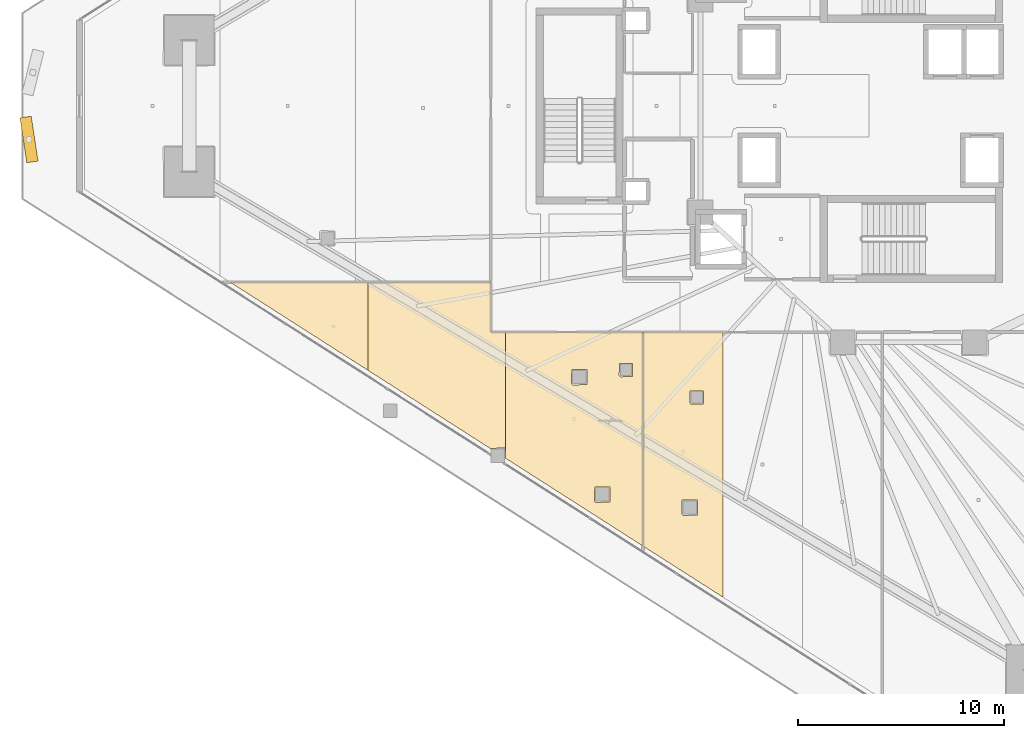
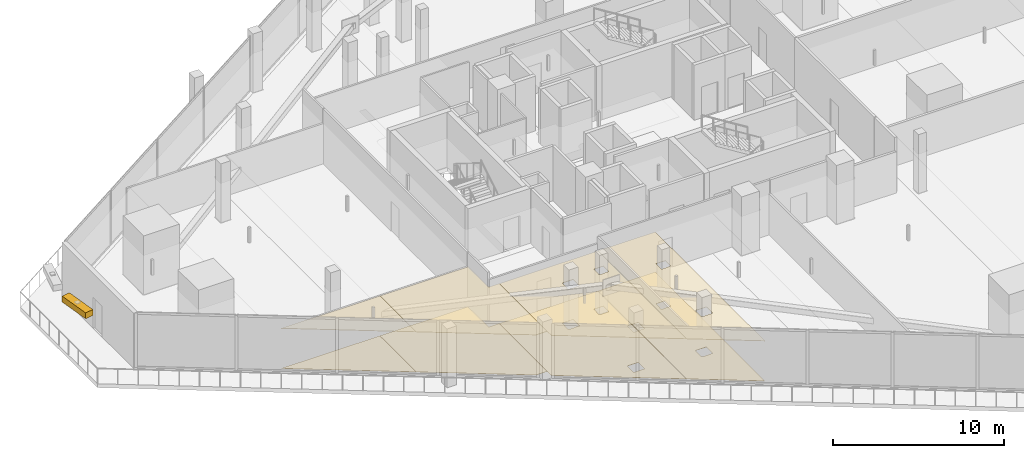
# One storey, part 37 of 45: 8 coverings, 1 shading device.
"""IFC4 building model written with IfcOpenShell, lengths in metres."""

from ifc_helpers import new_model, si_unit, direction, frame, origin, origin_2d, place, context, subcontext, project, spatial, polyline, rectangle, outline, extrude, material, layer, layer_set, type_object, element, save


model = new_model("IFC4")

# Units and contexts
model_context = context("Model", 3, precision=1e-05, world=origin(), true_north=direction((0.0, 1.0)))
body_context = subcontext(model_context, "Body", "Model", "MODEL_VIEW")
ifc_project = project(units=[si_unit("LENGTHUNIT", "METRE"), si_unit("AREAUNIT", "SQUARE_METRE"), si_unit("VOLUMEUNIT", "CUBIC_METRE"), si_unit("PLANEANGLEUNIT", "RADIAN"), si_unit("MASSUNIT", "GRAM", prefix="KILO")], contexts=[model_context])

# Site, building, storey
site_placement = place(None, origin())
site = spatial("IfcSite", under=ifc_project, at=site_placement, CompositionType="ELEMENT")
building_placement = place(site_placement, origin())
building = spatial("IfcBuilding", under=site, at=building_placement, Name="Qorvath Tower", CompositionType="ELEMENT")
storey_placement = place(building_placement, frame((0.0, 0.0, 49.199951171875)))
storey = spatial("IfcBuildingStorey", under=building, at=storey_placement, Name="L10", CompositionType="ELEMENT", Elevation=49.199951171875)

# Coverings
ifc_material_1 = material(Name="Acoustic mineral fibre ceiling tile", Category="gypsum")
ifc_layer_1 = layer(ifc_material_1, 0.030029296875)
ifc_layer_set_1 = layer_set([ifc_layer_1], Name="COV-CEIL")
covering_type_1 = type_object("IfcCoveringType", Name="COV-CEIL", PredefinedType="CEILING", material=ifc_layer_set_1)
covering_1_placement = place(storey_placement, frame((0.0, 0.0, 2.85009765625)))
element("IfcCovering", 1, at=covering_1_placement, inside=storey, type_object=covering_type_1, Name="L10 Suspended Acoustic Ceiling 011", PredefinedType="CEILING", context=body_context, shape_type="SweptSolid", body=[
    extrude(outline(polyline([(-46.624267578125, -12.80615234375), (-46.624267578125, -8.5498046875), (-53.292724609375, -8.5439453125), (-46.624267578125, -12.80615234375)])), origin(), (0.0, 0.0, 1.0), 0.030029296875),
])
covering_2_placement = place(storey_placement, frame((0.0, 0.0, 2.85009765625)))
element("IfcCovering", 2, at=covering_2_placement, inside=storey, type_object=covering_type_1, Name="L10 Suspended Acoustic Ceiling 012", PredefinedType="CEILING", context=body_context, shape_type="SweptSolid", body=[
    extrude(outline(polyline([(-40.6630859375, -8.554931640625), (-46.624267578125, -8.5498046875), (-46.624267578125, -12.80615234375), (-40.701416015625, -16.591796875), (-39.965087890625, -16.58837890625), (-39.9560546875, -16.84033203125), (-39.9560546875, -10.962890625), (-40.657958984375, -10.962890625), (-40.6630859375, -8.554931640625)])), origin(), (0.0, 0.0, 1.0), 0.030029296875),
])
covering_3_placement = place(storey_placement, frame((0.0, 0.0, 2.85009765625)))
element("IfcCovering", 3, at=covering_3_placement, inside=storey, type_object=covering_type_1, Name="L10 Suspended Acoustic Ceiling 013", PredefinedType="CEILING", context=body_context, shape_type="SweptSolid", body=[
    extrude(outline(polyline([(-39.9560546875, -10.962890625), (-39.9560546875, -16.84033203125), (-39.947509765625, -17.07373046875), (-33.28759765625, -21.330078125), (-33.28759765625, -10.962890625), (-39.9560546875, -10.962890625)]), holes=[polyline([(-34.439208984375, -13.0673828125), (-34.421630859375, -12.47509765625), (-33.786865234375, -12.47509765625), (-33.786865234375, -13.10986328125), (-34.379150390625, -13.12744140625), (-34.439208984375, -13.0673828125)]), polyline([(-35.63671875, -19.154296875), (-35.619140625, -18.4619140625), (-34.88427734375, -18.4619140625), (-34.88427734375, -19.19677734375), (-35.57666015625, -19.21435546875), (-35.63671875, -19.154296875)]), polyline([(-36.749755859375, -13.46044921875), (-36.732177734375, -12.76806640625), (-35.997314453125, -12.76806640625), (-35.997314453125, -13.5029296875), (-36.689697265625, -13.5205078125), (-36.749755859375, -13.46044921875)])]), origin(), (0.0, 0.0, 1.0), 0.030029296875),
])
covering_4_placement = place(storey_placement, frame((0.0, 0.0, 2.85009765625)))
element("IfcCovering", 4, at=covering_4_placement, inside=storey, type_object=covering_type_1, Name="L10 Suspended Acoustic Ceiling 014", PredefinedType="CEILING", context=body_context, shape_type="SweptSolid", body=[
    extrude(outline(polyline([(-29.4130859375, -23.806396484375), (-29.4130859375, -10.962890625), (-33.26953125, -10.962890625), (-33.26953125, -21.341796875), (-29.4130859375, -23.806396484375)]), holes=[polyline([(-31.01220703125, -14.3994140625), (-30.99462890625, -13.806884765625), (-30.35986328125, -13.806884765625), (-30.35986328125, -14.441650390625), (-30.9521484375, -14.459228515625), (-31.01220703125, -14.3994140625)]), polyline([(-31.401123046875, -19.785400390625), (-31.383544921875, -19.093017578125), (-30.648681640625, -19.093017578125), (-30.648681640625, -19.827880859375), (-31.341064453125, -19.845458984375), (-31.401123046875, -19.785400390625)])]), origin(), (0.0, 0.0, 1.0), 0.030029296875),
])
ifc_material_2 = material(Name="Low-VOC modular carpet tile", Category="textile")
ifc_layer_2 = layer(ifc_material_2, 0.014892578125)
ifc_layer_set_2 = layer_set([ifc_layer_2], Name="COV-FLOOR-CPT")
covering_type_2 = type_object("IfcCoveringType", Name="COV-FLOOR-CPT", PredefinedType="FLOORING", material=ifc_layer_set_2)
covering_5_placement = place(storey_placement, origin())
element("IfcCovering", 5, at=covering_5_placement, inside=storey, type_object=covering_type_2, Name="L10 Floor Finish 011", PredefinedType="FLOORING", context=body_context, shape_type="SweptSolid", body=[
    extrude(outline(polyline([(-46.624267578125, -12.80615234375), (-46.624267578125, -8.5498046875), (-53.292724609375, -8.5439453125), (-46.624267578125, -12.80615234375)])), origin(), (0.0, 0.0, 1.0), 0.01513671875),
])
covering_6_placement = place(storey_placement, origin())
element("IfcCovering", 6, at=covering_6_placement, inside=storey, type_object=covering_type_2, Name="L10 Floor Finish 012", PredefinedType="FLOORING", context=body_context, shape_type="SweptSolid", body=[
    extrude(outline(polyline([(-40.6630859375, -8.554931640625), (-46.624267578125, -8.5498046875), (-46.624267578125, -12.80615234375), (-40.701416015625, -16.591796875), (-39.965087890625, -16.58837890625), (-39.9560546875, -16.84033203125), (-39.9560546875, -10.962890625), (-40.657958984375, -10.962890625), (-40.6630859375, -8.554931640625)])), origin(), (0.0, 0.0, 1.0), 0.01513671875),
])
covering_7_placement = place(storey_placement, origin())
element("IfcCovering", 7, at=covering_7_placement, inside=storey, type_object=covering_type_2, Name="L10 Floor Finish 013", PredefinedType="FLOORING", context=body_context, shape_type="SweptSolid", body=[
    extrude(outline(polyline([(-39.9560546875, -10.962890625), (-39.9560546875, -16.84033203125), (-39.947509765625, -17.07373046875), (-33.28759765625, -21.330078125), (-33.28759765625, -10.962890625), (-39.9560546875, -10.962890625)]), holes=[polyline([(-34.439208984375, -13.0673828125), (-34.421630859375, -12.47509765625), (-33.786865234375, -12.47509765625), (-33.786865234375, -13.10986328125), (-34.379150390625, -13.12744140625), (-34.439208984375, -13.0673828125)]), polyline([(-35.63671875, -19.154296875), (-35.619140625, -18.4619140625), (-34.88427734375, -18.4619140625), (-34.88427734375, -19.19677734375), (-35.57666015625, -19.21435546875), (-35.63671875, -19.154296875)]), polyline([(-36.749755859375, -13.46044921875), (-36.732177734375, -12.76806640625), (-35.997314453125, -12.76806640625), (-35.997314453125, -13.5029296875), (-36.689697265625, -13.5205078125), (-36.749755859375, -13.46044921875)])]), origin(), (0.0, 0.0, 1.0), 0.01513671875),
])
covering_8_placement = place(storey_placement, origin())
element("IfcCovering", 8, at=covering_8_placement, inside=storey, type_object=covering_type_2, Name="L10 Floor Finish 014", PredefinedType="FLOORING", context=body_context, shape_type="SweptSolid", body=[
    extrude(outline(polyline([(-29.4130859375, -23.806396484375), (-29.4130859375, -10.962890625), (-33.26953125, -10.962890625), (-33.26953125, -21.341796875), (-29.4130859375, -23.806396484375)]), holes=[polyline([(-31.01220703125, -14.3994140625), (-30.99462890625, -13.806884765625), (-30.35986328125, -13.806884765625), (-30.35986328125, -14.441650390625), (-30.9521484375, -14.459228515625), (-31.01220703125, -14.3994140625)]), polyline([(-31.401123046875, -19.785400390625), (-31.383544921875, -19.093017578125), (-30.648681640625, -19.093017578125), (-30.648681640625, -19.827880859375), (-31.341064453125, -19.845458984375), (-31.401123046875, -19.785400390625)])]), origin(), (0.0, 0.0, 1.0), 0.01513671875),
])

# Shading device
ifc_material_3 = material(Name="Anodised bronze-champagne aluminium", Category="aluminium")
shading_device_type = type_object("IfcShadingDeviceType", Name="SD-LOUVRE", PredefinedType="JALOUSIE", material=ifc_material_3)
shading_device_placement = place(storey_placement, frame((-63.044677734375, -1.62353515625, 3.500244140625), z_axis=(0.0, 0.0, 1.0), x_axis=(0.150075466905, -0.988674544141, 0.0)))
element("IfcShadingDevice", 9, at=shading_device_placement, inside=storey, type_object=shading_device_type, Name="Sinusoidal Wave Louvre Blade L10-02", PredefinedType="NOTDEFINED", context=body_context, shape_type="SweptSolid", body=[
    extrude(rectangle(XDim=2.199951171875, YDim=0.550048828125, at=origin_2d()), origin(), (0.0, 0.0, 1.0), 0.419921875),
])

save(model, "model.ifc")
